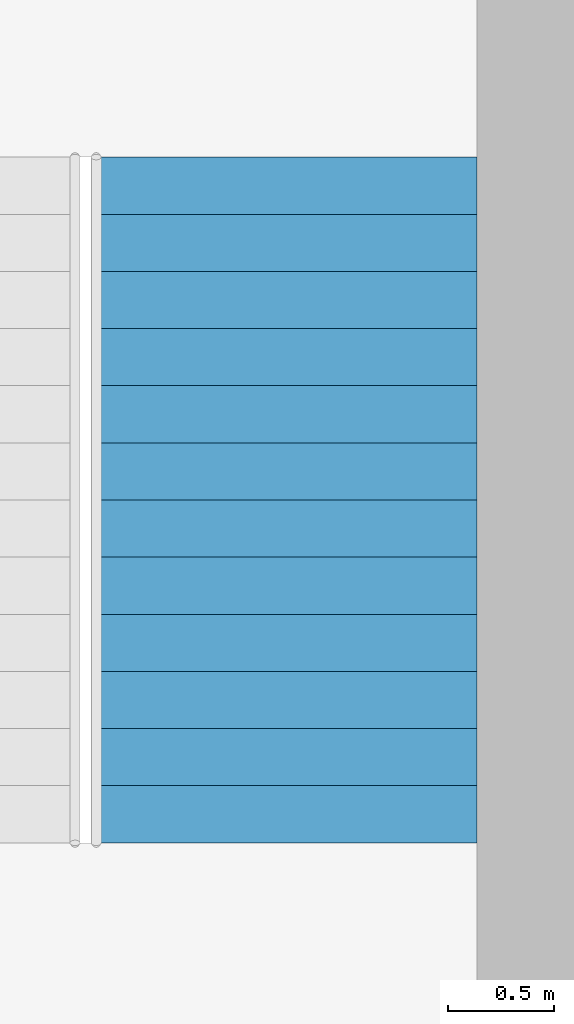
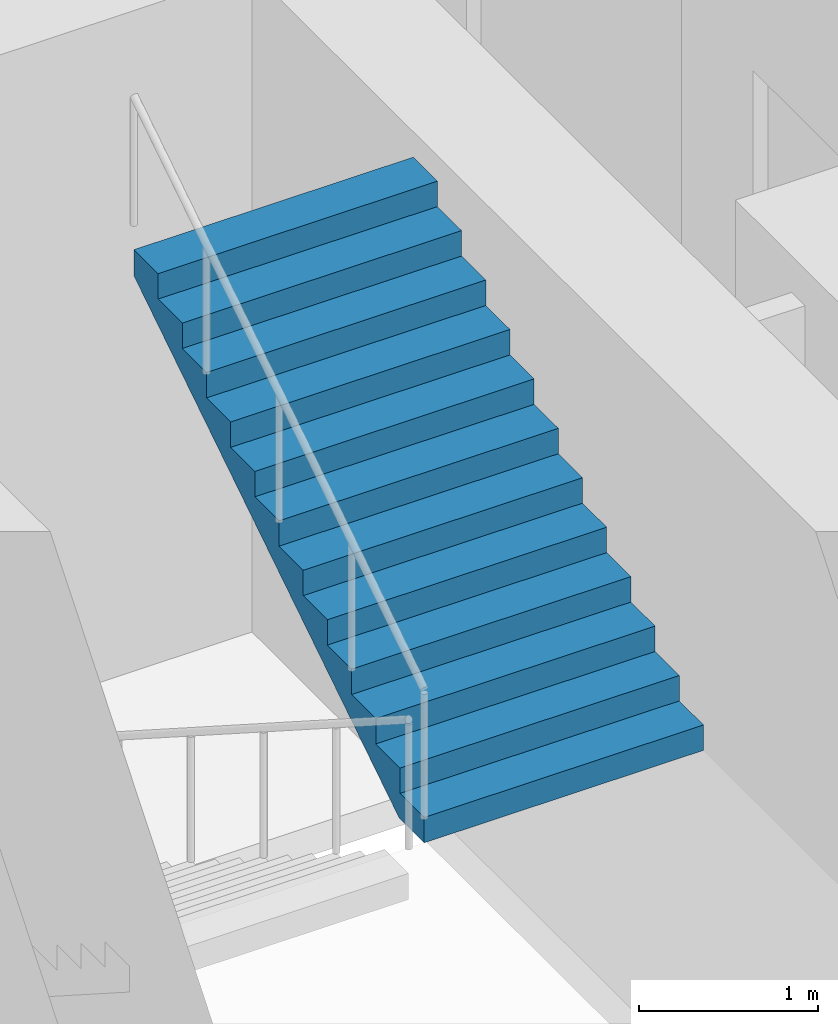
# One storey, part 11 of 12: 1 stair flight, 1 element without a shape of its own.
"""IFC4 building model written with IfcOpenShell, lengths in metres."""

from ifc_helpers import new_model, si_unit, direction, frame, origin, place, context, subcontext, project, spatial, polyline, outline, extrude, material, type_object, element, aggregate, save


model = new_model("IFC4")

# Units and contexts
model_context = context("Model", 3, precision=1e-05, world=origin(), true_north=direction((0.0, 1.0)))
body_context = subcontext(model_context, "Body", "Model", "MODEL_VIEW")
ifc_project = project(units=[si_unit("LENGTHUNIT", "METRE"), si_unit("AREAUNIT", "SQUARE_METRE"), si_unit("VOLUMEUNIT", "CUBIC_METRE"), si_unit("PLANEANGLEUNIT", "RADIAN"), si_unit("MASSUNIT", "GRAM", prefix="KILO")], contexts=[model_context])

# Site, building, storey
site_placement = place(None, origin())
site = spatial("IfcSite", under=ifc_project, at=site_placement, CompositionType="ELEMENT")
building_placement = place(site_placement, origin())
building = spatial("IfcBuilding", under=site, at=building_placement, Name="Cleftline Residences", CompositionType="ELEMENT")
storey_placement = place(building_placement, frame((0.0, 0.0, 282.60009765625)))
storey = spatial("IfcBuildingStorey", under=building, at=storey_placement, Name="L74", CompositionType="ELEMENT", Elevation=282.60009765625)

# Stair, stair flight
ifc_material_1 = material(Name="Concrete B45, stone treads", Category="masonry")
stair_type = type_object("IfcStairType", Name="STAIR E 1800 WIDE 173 RISER", PredefinedType="HALF_TURN_STAIR", material=ifc_material_1)
stair_placement = place(storey_placement, origin())
stair = element("IfcStair", 1, at=stair_placement, inside=storey, type_object=stair_type, Name="Stair E L74", PredefinedType="HALF_TURN_STAIR")
ifc_material_2 = material(Name="Concrete B45", Category="concrete")
stair_flight_type = type_object("IfcStairFlightType", Name="STAIR E FLIGHT 1800X173", PredefinedType="STRAIGHT", material=ifc_material_2)
stair_flight_placement = place(storey_placement, frame((62.824951171875, 22.93505859375, 2.25), z_axis=(0.0, 0.0, 1.0), x_axis=(0.0, 1.0, 0.0)))
stair_flight = element("IfcStairFlight", 2, at=stair_flight_placement, type_object=stair_flight_type, Name="ST-E flight 2", NumberOfRisers=13, NumberOfTreads=12, PredefinedType="STRAIGHT", RiserHeight=0.173076923, TreadLength=0.27, context=body_context, shape_type="SweptSolid", body=[
    extrude(outline(polyline([(0.0, 0.0), (0.0, 0.013427734375), (0.0, 0.026611328125), (0.0, 0.0400390625), (0.0, 0.05322265625), (0.0, 0.066650390625), (0.0, 0.079833984375), (0.0, 0.09326171875), (0.0, 0.1064453125), (0.0, 0.119873046875), (0.0, 0.133056640625), (0.0, 0.146484375), (0.0, 0.15966796875), (0.0, 0.173095703125), (0.27001953125, 0.173095703125), (0.27001953125, 0.34619140625), (0.5400390625, 0.34619140625), (0.5400390625, 0.519287109375), (0.81005859375, 0.519287109375), (0.81005859375, 0.6923828125), (1.080078125, 0.6923828125), (1.080078125, 0.865478515625), (1.35009765625, 0.865478515625), (1.35009765625, 1.03857421875), (1.6201171875, 1.03857421875), (1.6201171875, 1.21142578125), (1.889892578125, 1.21142578125), (1.889892578125, 1.384521484375), (2.159912109375, 1.384521484375), (2.159912109375, 1.5576171875), (2.429931640625, 1.5576171875), (2.429931640625, 1.730712890625), (2.699951171875, 1.730712890625), (2.699951171875, 1.90380859375), (2.969970703125, 1.90380859375), (2.969970703125, 2.076904296875), (3.239990234375, 2.076904296875), (3.239990234375, 2.25), (3.239990234375, 2.222900390625), (3.239990234375, 2.196044921875), (3.239990234375, 2.1689453125), (3.239990234375, 2.141845703125), (3.239990234375, 2.114990234375), (3.239990234375, 2.087890625), (3.239990234375, 2.06103515625), (3.239990234375, 2.033935546875), (3.239990234375, 2.0068359375), (3.239990234375, 1.97998046875), (3.239990234375, 1.952880859375), (3.239990234375, 1.92578125), (3.239990234375, 1.89892578125), (0.27783203125, 0.0), (0.0, 0.0)])), frame((0.0, 0.89990234375, 0.0), z_axis=(0.0, -1.0, 0.0), x_axis=(1.0, 0.0, 0.0)), (0.0, 0.0, 1.0), 1.800048828125),
])
aggregate(stair, [stair_flight])

save(model, "model.ifc")
